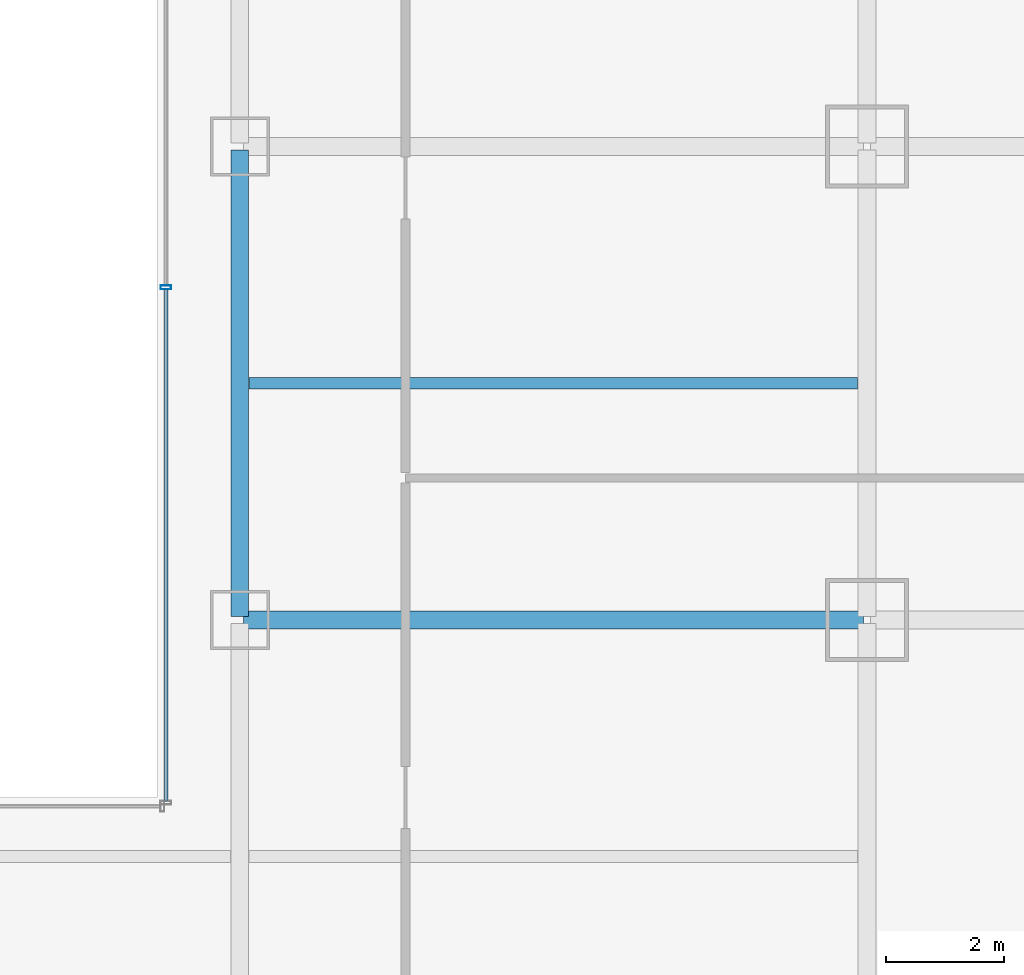
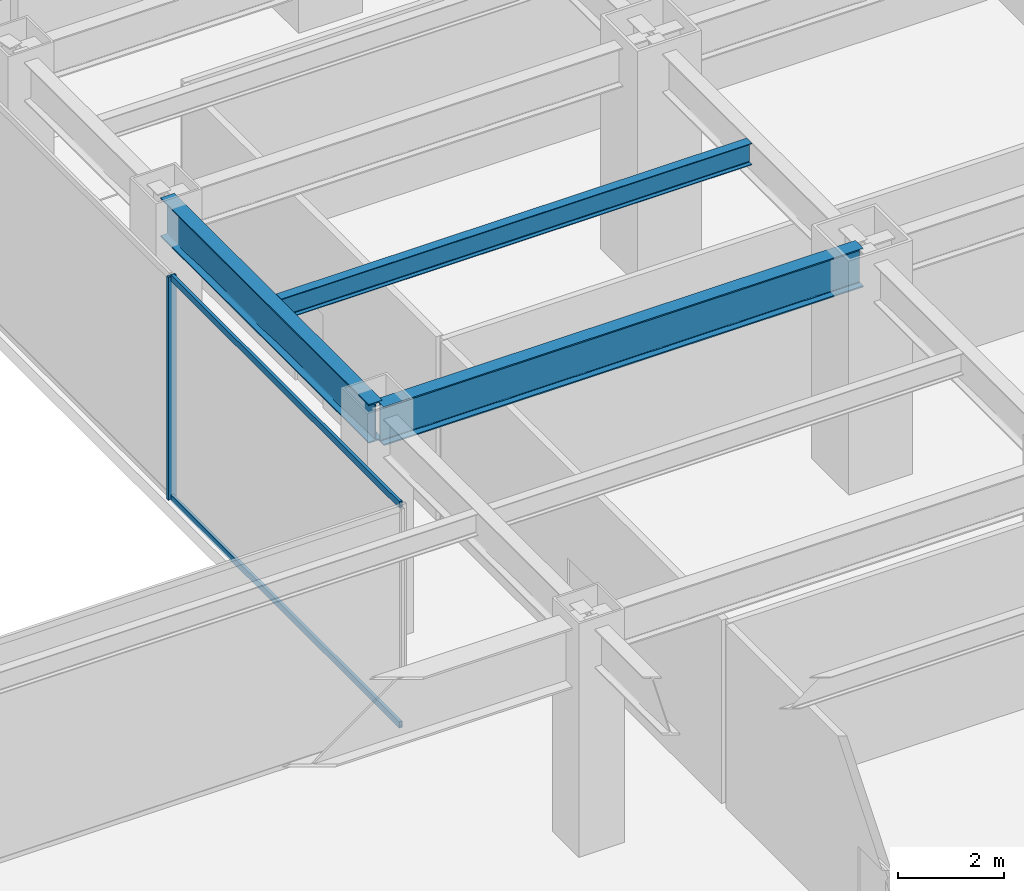
# One storey, part 20 of 53: 3 beams, 3 members, 1 element without a shape of its own.
"""IFC4 building model written with IfcOpenShell, lengths in metres."""

from ifc_helpers import new_model, si_unit, direction, frame, origin, origin_2d, place, context, subcontext, project, spatial, hollow_rectangle, i_section, extrude, material, material_profile, profile_set, type_object, element, aggregate, save


model = new_model("IFC4")

# Units and contexts
model_context = context("Model", 3, precision=1e-05, world=origin(), true_north=direction((0.0, 1.0)))
body_context = subcontext(model_context, "Body", "Model", "MODEL_VIEW")
ifc_project = project(units=[si_unit("LENGTHUNIT", "METRE"), si_unit("AREAUNIT", "SQUARE_METRE"), si_unit("VOLUMEUNIT", "CUBIC_METRE"), si_unit("PLANEANGLEUNIT", "RADIAN"), si_unit("MASSUNIT", "GRAM", prefix="KILO")], contexts=[model_context])

# Site, building, storey
site_placement = place(None, origin())
site = spatial("IfcSite", under=ifc_project, at=site_placement, CompositionType="ELEMENT")
building_placement = place(site_placement, origin())
building = spatial("IfcBuilding", under=site, at=building_placement, Name="Saevonmaru Cultural Tower", CompositionType="ELEMENT")
storey_placement = place(building_placement, frame((0.0, 0.0, 22.199951171875)))
storey = spatial("IfcBuildingStorey", under=building, at=storey_placement, Name="L04", CompositionType="ELEMENT", Elevation=22.199951171875)

# Beams
ifc_material_1 = material(Name="Steel SM420", Category="steel")
ifc_material_profile_1 = material_profile(ifc_material_1, i_section(OverallWidth=0.300048828125, OverallDepth=0.89990234375, WebThickness=0.01611328125, FlangeThickness=0.028076171875, FilletRadius=0.028076171875, at=origin_2d()), Name="H-900x300x16x28")
ifc_profile_set_1 = profile_set([ifc_material_profile_1], Name="Steel SM420")
beam_type_1 = type_object("IfcBeamType", Name="BM-G-H900", PredefinedType="BEAM", material=ifc_profile_set_1)
beam_1_placement = place(storey_placement, frame((37.199951171875, 24.06005859375, 4.699951171875), z_axis=(0.0, 1.0, 0.0), x_axis=(-1.0, 0.0, 0.0)))
element("IfcBeam", 1, at=beam_1_placement, inside=storey, type_object=beam_type_1, Name="L04 Podium Girder NS3-4", PredefinedType="BEAM", context=body_context, shape_type="SweptSolid", body=[
    extrude(i_section(OverallWidth=0.300048828125, OverallDepth=0.89990234375, WebThickness=0.01611328125, FlangeThickness=0.028076171875, FilletRadius=0.028076171875, at=origin_2d()), origin(), (0.0, 0.0, 1.0), 7.8798828125),
])
beam_2_placement = place(storey_placement, frame((37.260009765625, 24.0, 4.699951171875), z_axis=(1.0, 0.0, 0.0), x_axis=(0.0, 1.0, 0.0)))
element("IfcBeam", 2, at=beam_2_placement, inside=storey, type_object=beam_type_1, Name="L04 Gallery Girder E-3", PredefinedType="BEAM", context=body_context, shape_type="SweptSolid", body=[
    extrude(i_section(OverallWidth=0.300048828125, OverallDepth=0.89990234375, WebThickness=0.01611328125, FlangeThickness=0.028076171875, FilletRadius=0.028076171875, at=origin_2d()), origin(), (0.0, 0.0, 1.0), 10.47998046875),
])
ifc_material_2 = material(Name="Steel SM355", Category="steel")
ifc_material_profile_2 = material_profile(ifc_material_2, i_section(OverallWidth=0.199951171875, OverallDepth=0.5, WebThickness=0.010009765625, FlangeThickness=0.01611328125, FilletRadius=0.02001953125, at=origin_2d()), Name="H-500x200x10x16")
ifc_profile_set_2 = profile_set([ifc_material_profile_2], Name="Steel SM355")
beam_type_2 = type_object("IfcBeamType", Name="BM-J-H500", PredefinedType="JOIST", material=ifc_profile_set_2)
beam_3_placement = place(storey_placement, frame((37.35791015625, 28.0, 4.900146484375), z_axis=(1.0, 0.0, 0.0), x_axis=(0.0, 1.0, 0.0)))
element("IfcBeam", 3, at=beam_3_placement, inside=storey, type_object=beam_type_2, Name="L04 Secondary Floor Joist JE-3", PredefinedType="JOIST", context=body_context, shape_type="SweptSolid", body=[
    extrude(i_section(OverallWidth=0.199951171875, OverallDepth=0.5, WebThickness=0.010009765625, FlangeThickness=0.01611328125, FilletRadius=0.02001953125, at=origin_2d()), origin(), (0.0, 0.0, 1.0), 10.2841796875),
])

# Curtain wall, members
ifc_material_3 = material(Name="Satin Bronze Anodised Aluminium", Category="aluminium")
curtain_wall_type = type_object("IfcCurtainWallType", Name="CW-ATR-GLZ", PredefinedType="NOTDEFINED", material=ifc_material_3)
curtain_wall_placement = place(storey_placement, origin())
curtain_wall = element("IfcCurtainWall", 4, at=curtain_wall_placement, inside=storey, type_object=curtain_wall_type, Name="L04 Vertical Atrium Glazed Smoke Screen 2", PredefinedType="NOTDEFINED")
ifc_material_profile_3 = material_profile(ifc_material_3, hollow_rectangle(XDim=0.06494140625, YDim=0.179931640625, WallThickness=0.00390625, at=origin_2d()), Name="ALU-MULL-180x65x4")
ifc_profile_set_3 = profile_set([ifc_material_profile_3], Name="Satin Bronze Anodised Aluminium")
member_type_1 = type_object("IfcMemberType", Name="ML-CW-INT-180x65", PredefinedType="MULLION", material=ifc_profile_set_3)
member_1_placement = place(storey_placement, frame((35.949951171875, 29.6201171875, 0.0), z_axis=(0.0, 0.0, 1.0), x_axis=(0.0, 1.0, 0.0)))
member_1 = element("IfcMember", 5, at=member_1_placement, type_object=member_type_1, Name="CW-ATR-L04-2 mullion 2", PredefinedType="MULLION", context=body_context, shape_type="SweptSolid", body=[
    extrude(hollow_rectangle(XDim=0.06494140625, YDim=0.179931640625, WallThickness=0.00390625, at=origin_2d()), origin(), (0.0, 0.0, 1.0), 5.150146484375),
])
ifc_material_profile_4 = material_profile(ifc_material_3, hollow_rectangle(XDim=0.06494140625, YDim=0.14990234375, WallThickness=0.00390625, at=origin_2d()), Name="ALU-TRAN-150x65x4")
ifc_profile_set_4 = profile_set([ifc_material_profile_4], Name="Satin Bronze Anodised Aluminium")
member_type_2 = type_object("IfcMemberType", Name="TR-CW-INT-150x65", PredefinedType="USERDEFINED", material=ifc_profile_set_4)
member_2_placement = place(storey_placement, frame((35.949951171875, 20.9423828125, 0.032470703125), z_axis=(0.0, 1.0, 0.0), x_axis=(-1.0, 0.0, 0.0)))
member_2 = element("IfcMember", 6, at=member_2_placement, type_object=member_type_2, Name="CW-ATR-L04-2 transom 1.1", ObjectType="TRANSOM", PredefinedType="USERDEFINED", context=body_context, shape_type="SweptSolid", body=[
    extrude(hollow_rectangle(XDim=0.06494140625, YDim=0.14990234375, WallThickness=0.00390625, at=origin_2d()), origin(), (0.0, 0.0, 1.0), 8.64501953125),
])
member_3_placement = place(storey_placement, frame((35.949951171875, 20.9423828125, 5.117431640625), z_axis=(0.0, 1.0, 0.0), x_axis=(-1.0, 0.0, 0.0)))
member_3 = element("IfcMember", 7, at=member_3_placement, type_object=member_type_2, Name="CW-ATR-L04-2 transom 1.2", ObjectType="TRANSOM", PredefinedType="USERDEFINED", context=body_context, shape_type="SweptSolid", body=[
    extrude(hollow_rectangle(XDim=0.06494140625, YDim=0.14990234375, WallThickness=0.00390625, at=origin_2d()), origin(), (0.0, 0.0, 1.0), 8.64501953125),
])
aggregate(curtain_wall, [member_1, member_2, member_3])

save(model, "model.ifc")
